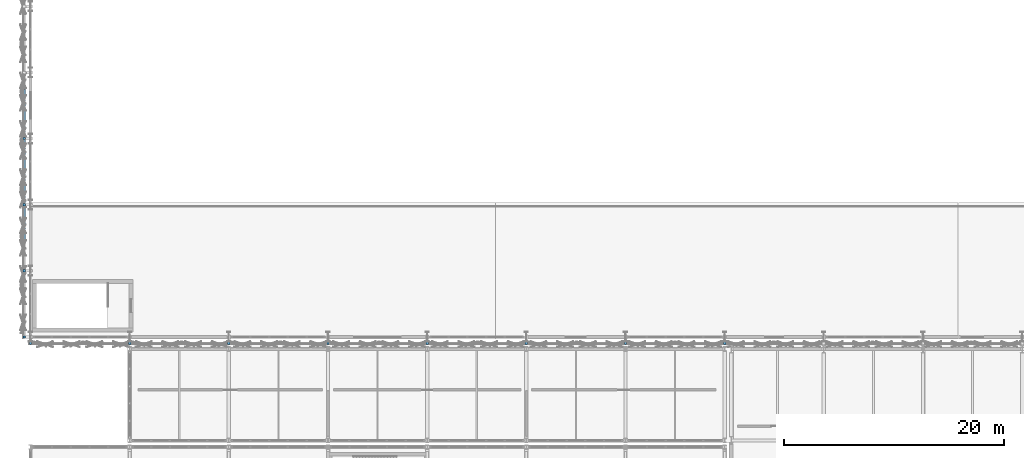
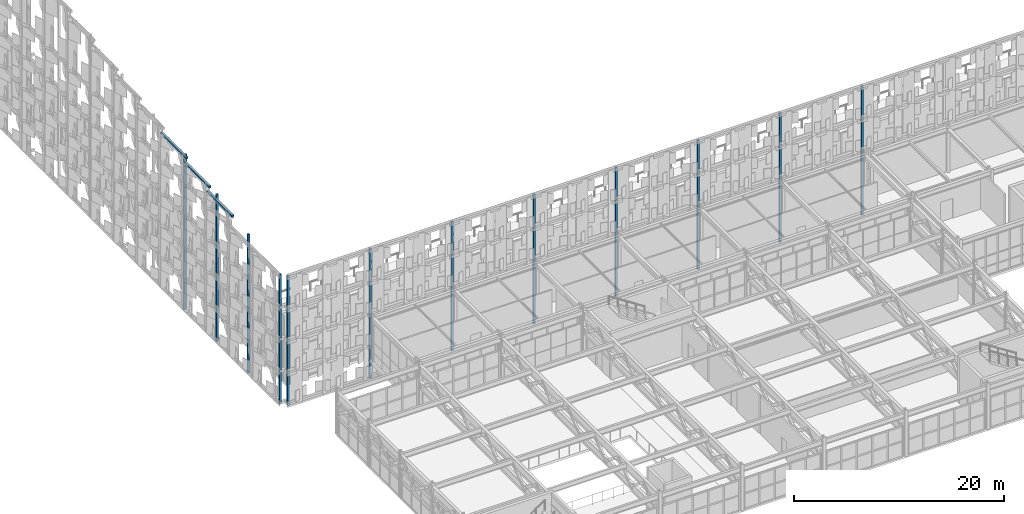
# One storey, part 165 of 210: 15 discrete accessories.
"""IFC4 building model written with IfcOpenShell, lengths in metres."""

import ifcopenshell
import ifcopenshell.guid

model = None  # the IFC model being written
_history = None  # IfcOwnerHistory: only IFC2X3 demands one
_inside = {}  # id of a spatial element -> (the spatial element, [elements in it])
_under = {}  # id of a project, library or spatial element -> (it, [spatial elements below it])
_declared = {}  # id of a project -> (the project, [libraries it declares])
_typed = {}  # id of a type object -> (the type object, [elements of that type])
_made_of = {}  # id of a material, layer set ... -> (it, [elements and type objects made of it])


def new_model(schema):
    """Start an empty IFC model of exactly this schema.

    Asked for "IFC4X3", IfcOpenShell would pick the latest addendum, in which some entities
    have other attributes; the version numbers below select the first issue.
    IFC2X3 requires an IfcOwnerHistory on every rooted entity: one is made here for all.
    """
    global model, _history
    if schema == "IFC4X3":
        model = ifcopenshell.file(schema_version=(4, 3, 0, 0))
    else:
        model = ifcopenshell.file(schema=schema)
    _inside.clear()
    _under.clear()
    _declared.clear()
    _typed.clear()
    _made_of.clear()
    _history = None
    if model.schema == "IFC2X3":
        org = make("IfcOrganization", Name="unknown")
        user = make(
            "IfcPersonAndOrganization",
            ThePerson=make("IfcPerson", FamilyName="unknown"),
            TheOrganization=org,
        )
        app = make(
            "IfcApplication",
            ApplicationDeveloper=org,
            Version="unknown",
            ApplicationFullName="unknown",
            ApplicationIdentifier="unknown",
        )
        _history = make(
            "IfcOwnerHistory",
            OwningUser=user,
            OwningApplication=app,
            ChangeAction="ADDED",
            CreationDate=0,
        )
    return model


def make(cls, **values):
    """One entity of the class cls with the attributes given. An attribute that is None is left unset."""
    return model.create_entity(
        cls, **{name: value for name, value in values.items() if value is not None}
    )


def rooted(cls, **values):
    """An entity with a GlobalId (a new one), such as an element, a storey or a relation."""
    return make(cls, GlobalId=ifcopenshell.guid.new(), OwnerHistory=_history, **values)


def si_unit(unit_type, name, prefix=None):
    """IfcSIUnit, for example si_unit("LENGTHUNIT", "METRE", prefix="MILLI")."""
    return make("IfcSIUnit", UnitType=unit_type, Prefix=prefix, Name=name)


def assignment(units):
    """IfcUnitAssignment: the units of a project."""
    return None if units is None else make("IfcUnitAssignment", Units=units)


def point(xyz):
    """IfcCartesianPoint."""
    return None if xyz is None else make("IfcCartesianPoint", Coordinates=xyz)


def direction(xyz):
    """IfcDirection."""
    return None if xyz is None else make("IfcDirection", DirectionRatios=xyz)


def frame(location, z_axis=None, x_axis=None):
    """IfcAxis2Placement3D, a coordinate frame: its origin and axes. An axis left out is left unset."""
    return make(
        "IfcAxis2Placement3D",
        Location=point(location),
        Axis=direction(z_axis),
        RefDirection=direction(x_axis),
    )


def frame_2d(location, x_axis=None):
    """IfcAxis2Placement2D, a coordinate frame in the plane: its origin and x axis."""
    return make(
        "IfcAxis2Placement2D", Location=point(location), RefDirection=direction(x_axis)
    )


def origin():
    """The frame at (0, 0, 0) with its axes left unset."""
    return frame((0.0, 0.0, 0.0))


def origin_2d():
    """The frame at (0, 0) in the plane with its x axis left unset."""
    return frame_2d((0.0, 0.0))


def place(relative_to, where):
    """IfcLocalPlacement: puts the frame where relative to a parent placement (None: the world)."""
    return make(
        "IfcLocalPlacement", PlacementRelTo=relative_to, RelativePlacement=where
    )


def context(
    kind, dimensions, precision=None, world=None, true_north=None, identifier=None
):
    """IfcGeometricRepresentationContext, for example the 3D "Model" context."""
    return make(
        "IfcGeometricRepresentationContext",
        ContextIdentifier=identifier,
        ContextType=kind,
        CoordinateSpaceDimension=dimensions,
        Precision=precision,
        WorldCoordinateSystem=world,
        TrueNorth=true_north,
    )


def subcontext(parent, identifier, kind, view, scale=None):
    """IfcGeometricRepresentationSubContext, for example "Body" below "Model"."""
    return make(
        "IfcGeometricRepresentationSubContext",
        ContextIdentifier=identifier,
        ContextType=kind,
        ParentContext=parent,
        TargetScale=scale,
        TargetView=view,
    )


def project(units=None, contexts=None):
    """IfcProject with its units and contexts."""
    return rooted(
        "IfcProject",
        Name="project",
        RepresentationContexts=contexts,
        UnitsInContext=assignment(units),
    )


def spatial(cls, under=None, at=None, **own):
    """A site, building, storey or space (cls), placed at a placement, below another one or the project."""
    s = rooted(cls, ObjectPlacement=at, **own)
    if under is not None:
        _under.setdefault(under.id(), (under, []))[1].append(s)
    return s


def profile(cls, at=None, kind="AREA", **sizes):
    """A parametric profile (cls). Its sizes go by their IFC names, for example OverallWidth=200.0."""
    return make(cls, ProfileType=kind, Position=at, **sizes)


def rectangle(**sizes):
    """IfcRectangleProfileDef."""
    return profile("IfcRectangleProfileDef", **sizes)


def extrude(swept, where, along, depth):
    """IfcExtrudedAreaSolid: the profile swept, set in the frame where, extruded along a direction by depth."""
    return make(
        "IfcExtrudedAreaSolid",
        SweptArea=swept,
        Position=where,
        ExtrudedDirection=direction(along),
        Depth=depth,
    )


def shape(context_of_items, identifier, shape_type, items):
    """IfcShapeRepresentation: the items that make up one representation, for example the "Body"."""
    return make(
        "IfcShapeRepresentation",
        ContextOfItems=context_of_items,
        RepresentationIdentifier=identifier,
        RepresentationType=shape_type,
        Items=items,
    )


def material(Name=None, Category=None):
    """IfcMaterial."""
    return make("IfcMaterial", Name=Name, Category=Category)


def made_of(thing, what):
    """Note that an element or type object is made of a material, layer set ...; save() writes the relation."""
    if what is not None:
        _made_of.setdefault(what.id(), (what, []))[1].append(thing)
    return thing


def type_object(cls, material=None, **own):
    """A type object (cls), such as IfcWallType, which elements share."""
    return made_of(rooted(cls, **own), material)


def element(
    cls,
    number,
    at=None,
    inside=None,
    cuts=None,
    type_object=None,
    material=None,
    context=None,
    identifier="Body",
    shape_type=None,
    held_by="IfcProductDefinitionShape",
    body=None,
    shapes=None,
    **own,
):
    """One element of the class cls, such as IfcWall. Its Tag is "e" and its number.

    at: its placement. inside: the storey or other place that contains it. cuts: it is an
    opening in that element (IfcRelVoidsElement). A single representation is given by context,
    identifier, shape_type and body (its items); several are given by shapes. held_by: the class
    of the entity that holds the representations. save() writes the other relations.
    """
    e = rooted(cls, Tag="e%d" % number, ObjectPlacement=at, **own)
    if body is not None:
        shapes = [shape(context, identifier, shape_type, body)]
    if shapes is not None:
        e.Representation = make(held_by, Representations=shapes)
    if inside is not None:
        _inside.setdefault(inside.id(), (inside, []))[1].append(e)
    if cuts is not None:
        rooted(
            "IfcRelVoidsElement", RelatingBuildingElement=cuts, RelatedOpeningElement=e
        )
    if type_object is not None:
        _typed.setdefault(type_object.id(), (type_object, []))[1].append(e)
    return made_of(e, material)


def aggregate(whole, parts):
    """IfcRelAggregates: a whole, such as a stair, and the parts it consists of."""
    return rooted("IfcRelAggregates", RelatingObject=whole, RelatedObjects=parts)


def save(model, path):
    """Write the relations noted so far, then the file.

    IfcRelAggregates (storeys below a building ...), IfcRelContainedInSpatialStructure (elements
    in a storey), IfcRelDefinesByType, IfcRelAssociatesMaterial and IfcRelDeclares: one each for
    every whole, place, type object, material and project.
    """
    for whole, parts in _under.values():
        aggregate(whole, parts)
    for where, things in _inside.values():
        rooted(
            "IfcRelContainedInSpatialStructure",
            RelatedElements=things,
            RelatingStructure=where,
        )
    for kind, things in _typed.values():
        rooted("IfcRelDefinesByType", RelatedObjects=things, RelatingType=kind)
    for what, things in _made_of.values():
        rooted("IfcRelAssociatesMaterial", RelatedObjects=things, RelatingMaterial=what)
    for by, libraries in _declared.values():
        rooted("IfcRelDeclares", RelatingContext=by, RelatedDefinitions=libraries)
    model.write(path)


model = new_model("IFC4")

# Units and contexts
model_context = context("Model", 3, precision=1e-05, world=origin(), true_north=direction((0.0, 1.0)))
body_context = subcontext(model_context, "Body", "Model", "MODEL_VIEW")
ifc_project = project(units=[si_unit("LENGTHUNIT", "METRE"), si_unit("AREAUNIT", "SQUARE_METRE"), si_unit("VOLUMEUNIT", "CUBIC_METRE"), si_unit("PLANEANGLEUNIT", "RADIAN"), si_unit("MASSUNIT", "GRAM", prefix="KILO")], contexts=[model_context])

# Site, building, storey
site_placement = place(None, origin())
site = spatial("IfcSite", under=ifc_project, at=site_placement, CompositionType="ELEMENT")
building_placement = place(site_placement, origin())
building = spatial("IfcBuilding", under=site, at=building_placement, Name="Kaldris Quays Convention Centre", CompositionType="ELEMENT")
storey_placement = place(building_placement, frame((0.0, 0.0, 6.0)))
storey = spatial("IfcBuildingStorey", under=building, at=storey_placement, Name="L01", CompositionType="ELEMENT", Elevation=6.0)

# Discrete accessories
ifc_material = material(Name="Steel S355J2", Category="steel")
discrete_accessory_type = type_object("IfcDiscreteAccessoryType", Name="SCREEN OUTRIGGER BRACKET BK01", PredefinedType="BRACKET", material=ifc_material)
discrete_accessory_1_placement = place(storey_placement, frame((19.43994140625, 56.0, -2.27001953125), z_axis=(0.0, 0.0, 1.0), x_axis=(0.0, 1.0, 0.0)))
element("IfcDiscreteAccessory", 1, at=discrete_accessory_1_placement, inside=storey, type_object=discrete_accessory_type, Name="V1W Screen Vertical Carrier Mullion 1", PredefinedType="BRACKET", context=body_context, shape_type="SweptSolid", body=[
    extrude(rectangle(XDim=0.199951171875, YDim=0.219970703125, at=origin_2d()), origin(), (0.0, 0.0, 1.0), 15.0400390625),
])
discrete_accessory_2_placement = place(storey_placement, frame((19.43994140625, 62.0, -2.27001953125), z_axis=(0.0, 0.0, 1.0), x_axis=(0.0, 1.0, 0.0)))
element("IfcDiscreteAccessory", 2, at=discrete_accessory_2_placement, inside=storey, type_object=discrete_accessory_type, Name="V1W Screen Vertical Carrier Mullion 6", PredefinedType="BRACKET", context=body_context, shape_type="SweptSolid", body=[
    extrude(rectangle(XDim=0.199951171875, YDim=0.219970703125, at=origin_2d()), origin(), (0.0, 0.0, 1.0), 16.0400390625),
])
discrete_accessory_3_placement = place(storey_placement, frame((19.43994140625, 68.0, -2.27001953125), z_axis=(0.0, 0.0, 1.0), x_axis=(0.0, 1.0, 0.0)))
element("IfcDiscreteAccessory", 3, at=discrete_accessory_3_placement, inside=storey, type_object=discrete_accessory_type, Name="V1W Screen Vertical Carrier Mullion 11", PredefinedType="BRACKET", context=body_context, shape_type="SweptSolid", body=[
    extrude(rectangle(XDim=0.199951171875, YDim=0.219970703125, at=origin_2d()), origin(), (0.0, 0.0, 1.0), 17.0400390625),
])
discrete_accessory_4_placement = place(storey_placement, frame((19.43994140625, 74.0, -2.27001953125), z_axis=(0.0, 0.0, 1.0), x_axis=(0.0, 1.0, 0.0)))
element("IfcDiscreteAccessory", 4, at=discrete_accessory_4_placement, inside=storey, type_object=discrete_accessory_type, Name="V1W Screen Vertical Carrier Mullion 16", PredefinedType="BRACKET", context=body_context, shape_type="SweptSolid", body=[
    extrude(rectangle(XDim=0.199951171875, YDim=0.219970703125, at=origin_2d()), origin(), (0.0, 0.0, 1.0), 18.0400390625),
])
for number, where, z_axis, x_axis, name in (
    (5, (19.419921875, 67.273681640625, 13.97607421875), (0.0, 0.0, 1.0), (0.0, 1.0, 0.0), "V1W Gable Screen Cap Rail 81"),
    (6, (19.419921875, 71.6630859375, 14.7080078125), (0.0, 0.0, 1.0), (0.0, 1.0, 0.0), "V1W Gable Screen Cap Rail 82"),
    (7, (19.419921875, 76.052490234375, 15.43896484375), (0.0, 0.0, 1.0), (0.0, 1.0, 0.0), "V1W Gable Screen Cap Rail 83"),
):
    element("IfcDiscreteAccessory", number, at=place(storey_placement, frame(where, z_axis=z_axis, x_axis=x_axis)), inside=storey, type_object=discrete_accessory_type, Name=name, PredefinedType="BRACKET", context=body_context, shape_type="SweptSolid", body=[
        extrude(rectangle(XDim=4.839111328125, YDim=0.219970703125, at=origin_2d()), origin(), (0.0, 0.0, 1.0), 0.219970703125),
    ])
for number, where, z_axis, x_axis, name in (
    (8, (20.0, 55.43994140625, -2.27001953125), (0.0, 0.0, 1.0), (1.0, 0.0, 0.0), "V1S Screen Vertical Carrier Mullion 160"),
    (9, (29.0, 55.43994140625, -2.27001953125), (0.0, 0.0, 1.0), (1.0, 0.0, 0.0), "V1S Screen Vertical Carrier Mullion 165"),
    (10, (38.0, 55.43994140625, -2.27001953125), (0.0, 0.0, 1.0), (1.0, 0.0, 0.0), "V1S Screen Vertical Carrier Mullion 170"),
    (11, (47.0, 55.43994140625, -2.27001953125), (0.0, 0.0, 1.0), (1.0, 0.0, 0.0), "V1S Screen Vertical Carrier Mullion 175"),
    (12, (56.0, 55.43994140625, -2.27001953125), (0.0, 0.0, 1.0), (1.0, 0.0, 0.0), "V1S Screen Vertical Carrier Mullion 180"),
    (13, (65.0, 55.43994140625, -2.27001953125), (0.0, 0.0, 1.0), (1.0, 0.0, 0.0), "V1S Screen Vertical Carrier Mullion 185"),
    (14, (74.0, 55.43994140625, -2.27001953125), (0.0, 0.0, 1.0), (1.0, 0.0, 0.0), "V1S Screen Vertical Carrier Mullion 190"),
    (15, (83.0, 55.43994140625, -2.27001953125), (0.0, 0.0, 1.0), (1.0, 0.0, 0.0), "V1S Screen Vertical Carrier Mullion 195"),
):
    element("IfcDiscreteAccessory", number, at=place(storey_placement, frame(where, z_axis=z_axis, x_axis=x_axis)), inside=storey, type_object=discrete_accessory_type, Name=name, PredefinedType="BRACKET", context=body_context, shape_type="SweptSolid", body=[
        extrude(rectangle(XDim=0.199951171875, YDim=0.219970703125, at=origin_2d()), origin(), (0.0, 0.0, 1.0), 15.0400390625),
    ])

save(model, "model.ifc")
